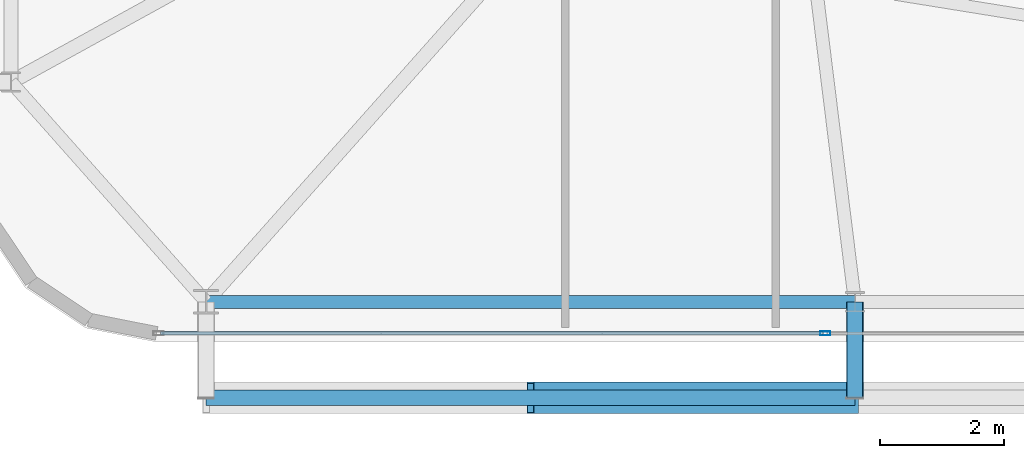
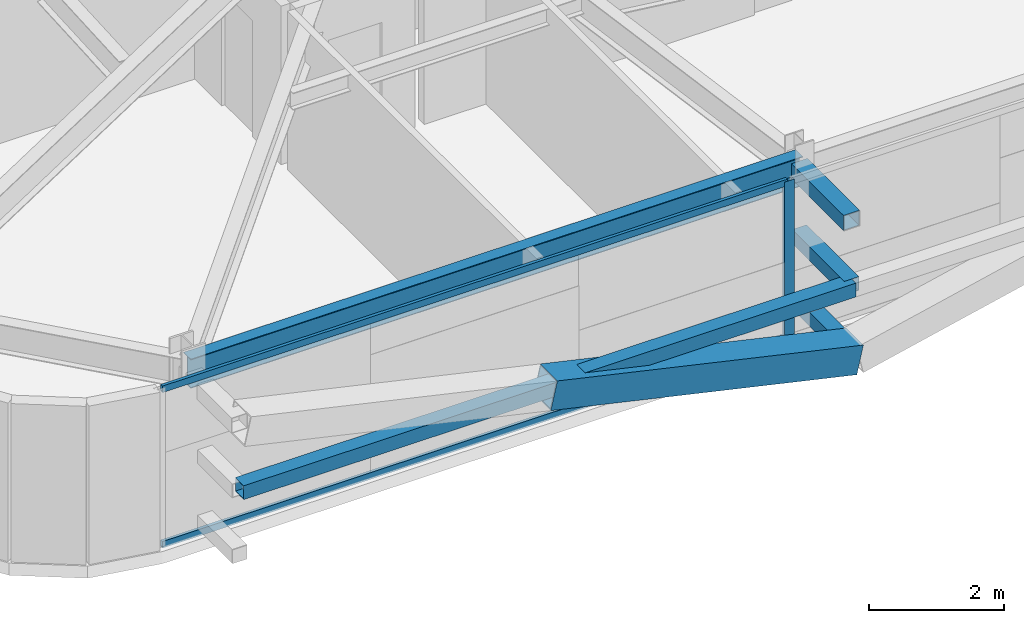
# One storey, part 6 of 45: 8 members, 1 beam, 1 element without a shape of its own.
"""IFC4 building model written with IfcOpenShell, lengths in metres."""

from ifc_helpers import new_model, si_unit, direction, frame, origin, origin_2d, place, context, subcontext, project, spatial, hollow_rectangle, i_section, extrude, source, transform, mapped, material, layer, layer_set, material_profile, profile_set, type_object, element, aggregate, save


model = new_model("IFC4")

# Units and contexts
model_context = context("Model", 3, precision=1e-05, world=origin(), true_north=direction((0.0, 1.0)))
body_context = subcontext(model_context, "Body", "Model", "MODEL_VIEW")
ifc_project = project(units=[si_unit("LENGTHUNIT", "METRE"), si_unit("AREAUNIT", "SQUARE_METRE"), si_unit("VOLUMEUNIT", "CUBIC_METRE"), si_unit("PLANEANGLEUNIT", "RADIAN"), si_unit("MASSUNIT", "GRAM", prefix="KILO")], contexts=[model_context])

# Site, building, storey
site_placement = place(None, origin())
site = spatial("IfcSite", under=ifc_project, at=site_placement, CompositionType="ELEMENT")
building_placement = place(site_placement, origin())
building = spatial("IfcBuilding", under=site, at=building_placement, Name="Taldren Reach Tower", CompositionType="ELEMENT")
storey_placement = place(building_placement, frame((0.0, 0.0, 57.75)))
storey = spatial("IfcBuildingStorey", under=building, at=storey_placement, Name="L17", CompositionType="ELEMENT", Elevation=57.75)

# Beam
ifc_material_1 = material(Name="Steel Gr 350 (350PLUS)", Category="steel")
ifc_material_profile_1 = material_profile(ifc_material_1, i_section(OverallWidth=0.208984375, OverallDepth=0.528076171875, WebThickness=0.009521484375, FlangeThickness=0.01318359375, at=origin_2d()), Name="530UB82.0")
ifc_profile_set_1 = profile_set([ifc_material_profile_1], Name="Steel Gr 350 (350PLUS)")
beam_type = type_object("IfcBeamType", Name="SP-UB530B", PredefinedType="SPANDREL", material=ifc_profile_set_1)
shared_shape_1 = source(origin(), body_context, "Body", "SweptSolid", [
    extrude(i_section(OverallWidth=0.208984375, OverallDepth=0.528076171875, WebThickness=0.009521484375, FlangeThickness=0.01318359375, at=origin_2d()), origin(), (0.0, 0.0, 1.0), 10.47998046875),
])
beam_placement = place(storey_placement, frame((8.800048828125, 2.14990234375, 2.60595703125), z_axis=(1.0, 0.0, 0.0), x_axis=(0.0, 1.0, 0.0)))
element("IfcBeam", 1, at=beam_placement, inside=storey, type_object=beam_type, Name="Perimeter spandrel B1 S1-S2 L17", PredefinedType="SPANDREL", context=body_context, shape_type="MappedRepresentation", body=[
    mapped(shared_shape_1, transform((0.0, 0.0, 0.0), scale=1.0)),
])

# Members
ifc_material_2 = material(Name="Steel Gr 450 (C450L0)", Category="steel")
ifc_material_profile_2 = material_profile(ifc_material_2, hollow_rectangle(XDim=0.27490234375, YDim=0.27490234375, WallThickness=0.00927734375, at=origin_2d()), Name="275x275x9.3SHS")
ifc_profile_set_2 = profile_set([ifc_material_profile_2], Name="Steel Gr 450 (C450L0)")
member_type_1 = type_object("IfcMemberType", Name="MB-TIE273", PredefinedType="STRUT", material=ifc_profile_set_2)
shared_shape_2 = source(origin(), body_context, "Body", "SweptSolid", [
    extrude(hollow_rectangle(XDim=0.27490234375, YDim=0.27490234375, WallThickness=0.00927734375, at=origin_2d()), origin(), (0.0, 0.0, 1.0), 1.5498046875),
])
member_1_placement = place(storey_placement, frame((19.280029296875, 2.14990234375, 2.590087890625), z_axis=(0.0, -1.0, 0.0), x_axis=(1.0, 0.0, 0.0)))
element("IfcMember", 2, at=member_1_placement, inside=storey, type_object=member_type_1, Name="Exoskeleton diaphragm tie strut B1-S2 L17", PredefinedType="STRUT", context=body_context, shape_type="MappedRepresentation", body=[
    mapped(shared_shape_2, transform((0.0, 0.0, 0.0), scale=1.0)),
])
ifc_material_3 = material(Name="Steel Gr 350 (C350L0)", Category="steel")
ifc_material_profile_3 = material_profile(ifc_material_3, hollow_rectangle(XDim=0.25, YDim=0.25, WallThickness=0.010009765625, at=origin_2d()), Name="250x250x10.0SHS")
ifc_profile_set_3 = profile_set([ifc_material_profile_3], Name="Steel Gr 350 (C350L0)")
member_type_2 = type_object("IfcMemberType", Name="MB-POST250", PredefinedType="POST", material=ifc_profile_set_3)
shared_shape_3 = source(origin(), body_context, "Body", "SweptSolid", [
    extrude(hollow_rectangle(XDim=0.25, YDim=0.25, WallThickness=0.010009765625, at=origin_2d()), origin(), (0.0, 0.0, 1.0), 10.47998046875),
])
member_2_placement = place(storey_placement, frame((8.800048828125, 0.60009765625, 1.405029296875), z_axis=(1.0, 0.0, 0.0), x_axis=(0.0, 1.0, 0.0)))
element("IfcMember", 3, at=member_2_placement, inside=storey, type_object=member_type_2, Name="Exoskeleton mid-height ring chord B1-S1 L17", PredefinedType="POST", context=body_context, shape_type="MappedRepresentation", body=[
    mapped(shared_shape_3, transform((0.0, 0.0, 0.0), scale=1.0)),
])
shared_shape_4 = source(origin(), body_context, "Body", "SweptSolid", [
    extrude(hollow_rectangle(XDim=0.25, YDim=0.25, WallThickness=0.010009765625, at=origin_2d()), origin(), (0.0, 0.0, 1.0), 1.5498046875),
])
for number, where, z_axis, x_axis, name in (
    (4, (19.280029296875, 2.14990234375, 0.219970703125), (0.0, -1.0, 0.0), (1.0, 0.0, 0.0), "Exoskeleton base diaphragm tie strut B1-S2 L17"),
    (5, (19.280029296875, 2.14990234375, 1.405029296875), (0.0, -1.0, 0.0), (1.0, 0.0, 0.0), "Exoskeleton mid-tier diaphragm tie B1-S2 L17"),
):
    element("IfcMember", number, at=place(storey_placement, frame(where, z_axis=z_axis, x_axis=x_axis)), inside=storey, type_object=member_type_2, Name=name, PredefinedType="POST", context=body_context, shape_type="MappedRepresentation", body=[
        mapped(shared_shape_4, transform((0.0, 0.0, 0.0), scale=1.0)),
    ])
ifc_material_profile_4 = material_profile(ifc_material_2, hollow_rectangle(XDim=0.510009765625, YDim=0.510009765625, WallThickness=0.02001953125, at=origin_2d()), Name="510x510x20.0SHS")
ifc_profile_set_4 = profile_set([ifc_material_profile_4], Name="Steel Gr 450 (C450L0)")
member_type_3 = type_object("IfcMemberType", Name="MB-EXO508", PredefinedType="BRACE", material=ifc_profile_set_4)
shared_shape_5 = source(origin(), body_context, "Body", "SweptSolid", [
    extrude(hollow_rectangle(XDim=0.510009765625, YDim=0.510009765625, WallThickness=0.02001953125, at=origin_2d()), origin(), (0.0, 0.0, 1.0), 5.372314453125),
])
member_3_placement = place(storey_placement, frame((19.280029296875, 0.60009765625, 0.219970703125), z_axis=(-0.975367562392, 0.0, 0.220585852297), x_axis=(0.0, -1.0, 0.0)))
element("IfcMember", 6, at=member_3_placement, inside=storey, type_object=member_type_3, Name="Exoskeleton Diagrid Brace B1-S1 L17", PredefinedType="BRACE", context=body_context, shape_type="MappedRepresentation", body=[
    mapped(shared_shape_5, transform((0.0, 0.0, 0.0), scale=1.0)),
])

# Curtain wall, members
ifc_material_4 = material(Name="Aluminium and Low-E Glass Unitised System", Category="aluminium")
ifc_layer = layer(ifc_material_4, 0.159912109375)
ifc_layer_set = layer_set([ifc_layer], Name="Aluminium and Low-E Glass Unitised System")
curtain_wall_type = type_object("IfcCurtainWallType", Name="CW-SYS-2", PredefinedType="NOTDEFINED", material=ifc_layer_set)
curtain_wall_placement = place(storey_placement, origin())
curtain_wall = element("IfcCurtainWall", 7, at=curtain_wall_placement, inside=storey, type_object=curtain_wall_type, Name="Unitised curtain wall CW-L17-S", PredefinedType="NOTDEFINED")
ifc_material_5 = material(Name="Anodised Aluminium 6063-T6", Category="aluminium")
ifc_material_profile_5 = material_profile(ifc_material_5, hollow_rectangle(XDim=0.054931640625, YDim=0.1201171875, WallThickness=0.0029296875, at=origin_2d()), Name="ALU-120x55x3RHS")
ifc_profile_set_5 = profile_set([ifc_material_profile_5], Name="Anodised Aluminium 6063-T6")
member_type_4 = type_object("IfcMemberType", Name="CW-TRN-135", PredefinedType="USERDEFINED", material=ifc_profile_set_5)
shared_shape_6 = source(origin(), body_context, "Body", "SweptSolid", [
    extrude(hollow_rectangle(XDim=0.054931640625, YDim=0.1201171875, WallThickness=0.0029296875, at=origin_2d()), origin(), (0.0, 0.0, 1.0), 10.70263671875),
])
member_4_placement = place(storey_placement, frame((8.06494140625, 1.639892578125, 0.027587890625), z_axis=(1.0, 0.0, 0.0), x_axis=(0.0, 1.0, 0.0)))
member_4 = element("IfcMember", 8, at=member_4_placement, type_object=member_type_4, Name="CW-2 transom 1.1", ObjectType="TRANSOM", PredefinedType="USERDEFINED", context=body_context, shape_type="MappedRepresentation", body=[
    mapped(shared_shape_6, transform((0.0, 0.0, 0.0), scale=1.0)),
])
member_5_placement = place(storey_placement, frame((8.06494140625, 1.639892578125, 2.842529296875), z_axis=(1.0, 0.0, 0.0), x_axis=(0.0, 1.0, 0.0)))
member_5 = element("IfcMember", 9, at=member_5_placement, type_object=member_type_4, Name="CW-2 transom 1.2", ObjectType="TRANSOM", PredefinedType="USERDEFINED", context=body_context, shape_type="MappedRepresentation", body=[
    mapped(shared_shape_6, transform((0.0, 0.0, 0.0), scale=1.0)),
])
ifc_material_profile_6 = material_profile(ifc_material_5, hollow_rectangle(XDim=0.06494140625, YDim=0.1650390625, WallThickness=0.00390625, at=origin_2d()), Name="ALU-165x65x4RHS")
ifc_profile_set_6 = profile_set([ifc_material_profile_6], Name="Anodised Aluminium 6063-T6")
member_type_5 = type_object("IfcMemberType", Name="CW-MUL-165", PredefinedType="MULLION", material=ifc_profile_set_6)
shared_shape_7 = source(origin(), body_context, "Body", "SweptSolid", [
    extrude(hollow_rectangle(XDim=0.06494140625, YDim=0.1650390625, WallThickness=0.00390625, at=origin_2d()), origin(), (0.0, 0.0, 1.0), 2.8701171875),
])
member_6_placement = place(storey_placement, frame((18.800048828125, 1.639892578125, 0.0), z_axis=(0.0, 0.0, 1.0), x_axis=(0.0, 1.0, 0.0)))
member_6 = element("IfcMember", 10, at=member_6_placement, type_object=member_type_5, Name="CW-2 mullion 2", PredefinedType="MULLION", context=body_context, shape_type="MappedRepresentation", body=[
    mapped(shared_shape_7, transform((0.0, 0.0, 0.0), scale=1.0)),
])
aggregate(curtain_wall, [member_6, member_4, member_5])

save(model, "model.ifc")
